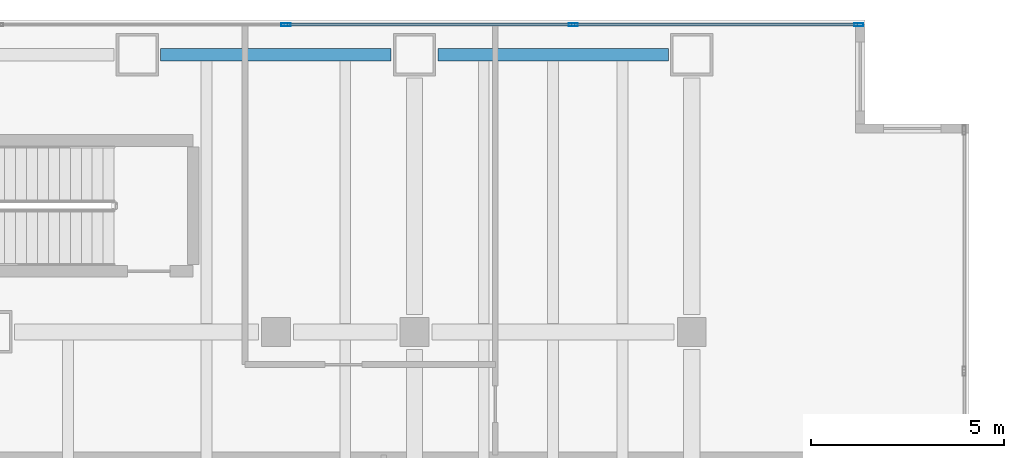
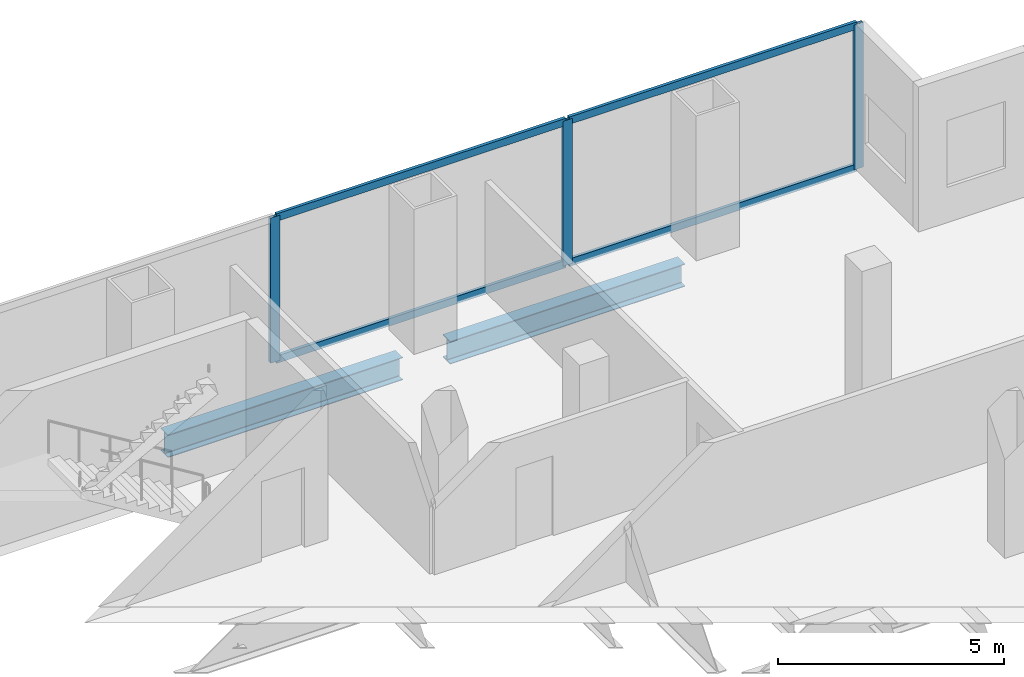
# One storey, part 15 of 28: 7 members, 2 beams, 1 element without a shape of its own.
"""IFC4 building model written with IfcOpenShell, lengths in metres."""

import ifcopenshell
import ifcopenshell.guid

model = None  # the IFC model being written
_history = None  # IfcOwnerHistory: only IFC2X3 demands one
_inside = {}  # id of a spatial element -> (the spatial element, [elements in it])
_under = {}  # id of a project, library or spatial element -> (it, [spatial elements below it])
_declared = {}  # id of a project -> (the project, [libraries it declares])
_typed = {}  # id of a type object -> (the type object, [elements of that type])
_made_of = {}  # id of a material, layer set ... -> (it, [elements and type objects made of it])


def new_model(schema):
    """Start an empty IFC model of exactly this schema.

    Asked for "IFC4X3", IfcOpenShell would pick the latest addendum, in which some entities
    have other attributes; the version numbers below select the first issue.
    IFC2X3 requires an IfcOwnerHistory on every rooted entity: one is made here for all.
    """
    global model, _history
    if schema == "IFC4X3":
        model = ifcopenshell.file(schema_version=(4, 3, 0, 0))
    else:
        model = ifcopenshell.file(schema=schema)
    _inside.clear()
    _under.clear()
    _declared.clear()
    _typed.clear()
    _made_of.clear()
    _history = None
    if model.schema == "IFC2X3":
        org = make("IfcOrganization", Name="unknown")
        user = make(
            "IfcPersonAndOrganization",
            ThePerson=make("IfcPerson", FamilyName="unknown"),
            TheOrganization=org,
        )
        app = make(
            "IfcApplication",
            ApplicationDeveloper=org,
            Version="unknown",
            ApplicationFullName="unknown",
            ApplicationIdentifier="unknown",
        )
        _history = make(
            "IfcOwnerHistory",
            OwningUser=user,
            OwningApplication=app,
            ChangeAction="ADDED",
            CreationDate=0,
        )
    return model


def make(cls, **values):
    """One entity of the class cls with the attributes given. An attribute that is None is left unset."""
    return model.create_entity(
        cls, **{name: value for name, value in values.items() if value is not None}
    )


def rooted(cls, **values):
    """An entity with a GlobalId (a new one), such as an element, a storey or a relation."""
    return make(cls, GlobalId=ifcopenshell.guid.new(), OwnerHistory=_history, **values)


def si_unit(unit_type, name, prefix=None):
    """IfcSIUnit, for example si_unit("LENGTHUNIT", "METRE", prefix="MILLI")."""
    return make("IfcSIUnit", UnitType=unit_type, Prefix=prefix, Name=name)


def assignment(units):
    """IfcUnitAssignment: the units of a project."""
    return None if units is None else make("IfcUnitAssignment", Units=units)


def point(xyz):
    """IfcCartesianPoint."""
    return None if xyz is None else make("IfcCartesianPoint", Coordinates=xyz)


def direction(xyz):
    """IfcDirection."""
    return None if xyz is None else make("IfcDirection", DirectionRatios=xyz)


def frame(location, z_axis=None, x_axis=None):
    """IfcAxis2Placement3D, a coordinate frame: its origin and axes. An axis left out is left unset."""
    return make(
        "IfcAxis2Placement3D",
        Location=point(location),
        Axis=direction(z_axis),
        RefDirection=direction(x_axis),
    )


def frame_2d(location, x_axis=None):
    """IfcAxis2Placement2D, a coordinate frame in the plane: its origin and x axis."""
    return make(
        "IfcAxis2Placement2D", Location=point(location), RefDirection=direction(x_axis)
    )


def origin():
    """The frame at (0, 0, 0) with its axes left unset."""
    return frame((0.0, 0.0, 0.0))


def origin_2d():
    """The frame at (0, 0) in the plane with its x axis left unset."""
    return frame_2d((0.0, 0.0))


def place(relative_to, where):
    """IfcLocalPlacement: puts the frame where relative to a parent placement (None: the world)."""
    return make(
        "IfcLocalPlacement", PlacementRelTo=relative_to, RelativePlacement=where
    )


def context(
    kind, dimensions, precision=None, world=None, true_north=None, identifier=None
):
    """IfcGeometricRepresentationContext, for example the 3D "Model" context."""
    return make(
        "IfcGeometricRepresentationContext",
        ContextIdentifier=identifier,
        ContextType=kind,
        CoordinateSpaceDimension=dimensions,
        Precision=precision,
        WorldCoordinateSystem=world,
        TrueNorth=true_north,
    )


def subcontext(parent, identifier, kind, view, scale=None):
    """IfcGeometricRepresentationSubContext, for example "Body" below "Model"."""
    return make(
        "IfcGeometricRepresentationSubContext",
        ContextIdentifier=identifier,
        ContextType=kind,
        ParentContext=parent,
        TargetScale=scale,
        TargetView=view,
    )


def project(units=None, contexts=None):
    """IfcProject with its units and contexts."""
    return rooted(
        "IfcProject",
        Name="project",
        RepresentationContexts=contexts,
        UnitsInContext=assignment(units),
    )


def spatial(cls, under=None, at=None, **own):
    """A site, building, storey or space (cls), placed at a placement, below another one or the project."""
    s = rooted(cls, ObjectPlacement=at, **own)
    if under is not None:
        _under.setdefault(under.id(), (under, []))[1].append(s)
    return s


def profile(cls, at=None, kind="AREA", **sizes):
    """A parametric profile (cls). Its sizes go by their IFC names, for example OverallWidth=200.0."""
    return make(cls, ProfileType=kind, Position=at, **sizes)


def hollow_rectangle(**sizes):
    """IfcRectangleHollowProfileDef."""
    return profile("IfcRectangleHollowProfileDef", **sizes)


def i_section(**sizes):
    """IfcIShapeProfileDef."""
    return profile("IfcIShapeProfileDef", **sizes)


def extrude(swept, where, along, depth):
    """IfcExtrudedAreaSolid: the profile swept, set in the frame where, extruded along a direction by depth."""
    return make(
        "IfcExtrudedAreaSolid",
        SweptArea=swept,
        Position=where,
        ExtrudedDirection=direction(along),
        Depth=depth,
    )


def shape(context_of_items, identifier, shape_type, items):
    """IfcShapeRepresentation: the items that make up one representation, for example the "Body"."""
    return make(
        "IfcShapeRepresentation",
        ContextOfItems=context_of_items,
        RepresentationIdentifier=identifier,
        RepresentationType=shape_type,
        Items=items,
    )


def material(Name=None, Category=None):
    """IfcMaterial."""
    return make("IfcMaterial", Name=Name, Category=Category)


def material_profile(
    of_material, cross_section, Name=None, Category=None, Priority=None
):
    """IfcMaterialProfile: a cross section and its material."""
    return make(
        "IfcMaterialProfile",
        Name=Name,
        Material=of_material,
        Profile=cross_section,
        Priority=Priority,
        Category=Category,
    )


def profile_set(profiles, Name=None, composite=None):
    """IfcMaterialProfileSet."""
    return make(
        "IfcMaterialProfileSet",
        Name=Name,
        MaterialProfiles=profiles,
        CompositeProfile=composite,
    )


def made_of(thing, what):
    """Note that an element or type object is made of a material, layer set ...; save() writes the relation."""
    if what is not None:
        _made_of.setdefault(what.id(), (what, []))[1].append(thing)
    return thing


def type_object(cls, material=None, **own):
    """A type object (cls), such as IfcWallType, which elements share."""
    return made_of(rooted(cls, **own), material)


def element(
    cls,
    number,
    at=None,
    inside=None,
    cuts=None,
    type_object=None,
    material=None,
    context=None,
    identifier="Body",
    shape_type=None,
    held_by="IfcProductDefinitionShape",
    body=None,
    shapes=None,
    **own,
):
    """One element of the class cls, such as IfcWall. Its Tag is "e" and its number.

    at: its placement. inside: the storey or other place that contains it. cuts: it is an
    opening in that element (IfcRelVoidsElement). A single representation is given by context,
    identifier, shape_type and body (its items); several are given by shapes. held_by: the class
    of the entity that holds the representations. save() writes the other relations.
    """
    e = rooted(cls, Tag="e%d" % number, ObjectPlacement=at, **own)
    if body is not None:
        shapes = [shape(context, identifier, shape_type, body)]
    if shapes is not None:
        e.Representation = make(held_by, Representations=shapes)
    if inside is not None:
        _inside.setdefault(inside.id(), (inside, []))[1].append(e)
    if cuts is not None:
        rooted(
            "IfcRelVoidsElement", RelatingBuildingElement=cuts, RelatedOpeningElement=e
        )
    if type_object is not None:
        _typed.setdefault(type_object.id(), (type_object, []))[1].append(e)
    return made_of(e, material)


def aggregate(whole, parts):
    """IfcRelAggregates: a whole, such as a stair, and the parts it consists of."""
    return rooted("IfcRelAggregates", RelatingObject=whole, RelatedObjects=parts)


def save(model, path):
    """Write the relations noted so far, then the file.

    IfcRelAggregates (storeys below a building ...), IfcRelContainedInSpatialStructure (elements
    in a storey), IfcRelDefinesByType, IfcRelAssociatesMaterial and IfcRelDeclares: one each for
    every whole, place, type object, material and project.
    """
    for whole, parts in _under.values():
        aggregate(whole, parts)
    for where, things in _inside.values():
        rooted(
            "IfcRelContainedInSpatialStructure",
            RelatedElements=things,
            RelatingStructure=where,
        )
    for kind, things in _typed.values():
        rooted("IfcRelDefinesByType", RelatedObjects=things, RelatingType=kind)
    for what, things in _made_of.values():
        rooted("IfcRelAssociatesMaterial", RelatedObjects=things, RelatingMaterial=what)
    for by, libraries in _declared.values():
        rooted("IfcRelDeclares", RelatingContext=by, RelatedDefinitions=libraries)
    model.write(path)


model = new_model("IFC4")

# Units and contexts
model_context = context("Model", 3, precision=1e-05, world=origin(), true_north=direction((0.0, 1.0)))
body_context = subcontext(model_context, "Body", "Model", "MODEL_VIEW")
ifc_project = project(units=[si_unit("LENGTHUNIT", "METRE"), si_unit("AREAUNIT", "SQUARE_METRE"), si_unit("VOLUMEUNIT", "CUBIC_METRE"), si_unit("PLANEANGLEUNIT", "RADIAN"), si_unit("MASSUNIT", "GRAM", prefix="KILO")], contexts=[model_context])

# Site, building, storey
site_placement = place(None, origin())
site = spatial("IfcSite", under=ifc_project, at=site_placement, CompositionType="ELEMENT")
building_placement = place(site_placement, origin())
building = spatial("IfcBuilding", under=site, at=building_placement, Name="Cobrela Telecom Tower", CompositionType="ELEMENT")
storey_placement = place(building_placement, frame((0.0, 0.0, 17.85009765625)))
storey = spatial("IfcBuildingStorey", under=building, at=storey_placement, Name="L04", CompositionType="ELEMENT", Elevation=17.85009765625)

# Beams
ifc_material_1 = material(Name="Steel ASTM A992 Grade 50", Category="steel")
ifc_material_profile_1 = material_profile(ifc_material_1, i_section(OverallWidth=0.324951171875, OverallDepth=0.612060546875, WebThickness=0.0126953125, FlangeThickness=0.01904296875, FilletRadius=0.014892578125, at=origin_2d()), Name="W24X104")
ifc_profile_set_1 = profile_set([ifc_material_profile_1], Name="Steel ASTM A992 Grade 50")
beam_type = type_object("IfcBeamType", Name="BM-SPAND-02", PredefinedType="SPANDREL", material=ifc_profile_set_1)
for number, where, z_axis, x_axis, name in (
    (1, (29.405029296875, 49.5, -0.59619140625), (1.0, 0.0, 0.0), (0.0, 1.0, 0.0), "L04 Perimeter Spandrel X54"),
    (2, (36.60498046875, 49.5, -0.59619140625), (1.0, 0.0, 0.0), (0.0, 1.0, 0.0), "L04 Perimeter Spandrel X55"),
):
    element("IfcBeam", number, at=place(storey_placement, frame(where, z_axis=z_axis, x_axis=x_axis)), inside=storey, type_object=beam_type, Name=name, PredefinedType="SPANDREL", context=body_context, shape_type="SweptSolid", body=[
        extrude(i_section(OverallWidth=0.324951171875, OverallDepth=0.612060546875, WebThickness=0.0126953125, FlangeThickness=0.01904296875, FilletRadius=0.014892578125, at=origin_2d()), origin(), (0.0, 0.0, 1.0), 5.989990234375),
    ])

# Curtain wall, members
ifc_material_2 = material(Name="Anodized Bronze Aluminium 6063-T6", Category="aluminium")
curtain_wall_type = type_object("IfcCurtainWallType", Name="CW-SYS-CONC", PredefinedType="USERDEFINED", material=ifc_material_2)
curtain_wall_placement = place(storey_placement, origin())
curtain_wall = element("IfcCurtainWall", 3, at=curtain_wall_placement, inside=storey, type_object=curtain_wall_type, Name="L04 Unitised Bronze Curtain Wall 07", ObjectType="UNITISED CURTAIN WALL", PredefinedType="USERDEFINED")
ifc_material_profile_2 = material_profile(ifc_material_2, hollow_rectangle(XDim=0.080078125, YDim=0.239990234375, WallThickness=0.0048828125, at=origin_2d()), Name="ALU 80x240x5")
ifc_profile_set_2 = profile_set([ifc_material_profile_2], Name="Anodized Bronze Aluminium 6063-T6")
member_type_1 = type_object("IfcMemberType", Name="CW-SYS-CONC-MUL", PredefinedType="MULLION", material=ifc_profile_set_2)
member_1_placement = place(storey_placement, frame((32.659912109375, 50.280029296875, 0.0), z_axis=(0.0, 0.0, 1.0), x_axis=(0.0, 1.0, 0.0)))
member_1 = element("IfcMember", 4, at=member_1_placement, type_object=member_type_1, Name="CW-CONC mullion 5", PredefinedType="MULLION", context=body_context, shape_type="SweptSolid", body=[
    extrude(hollow_rectangle(XDim=0.080078125, YDim=0.239990234375, WallThickness=0.0048828125, at=origin_2d()), origin(), (0.0, 0.0, 1.0), 3.909912109375),
])
member_2_placement = place(storey_placement, frame((40.1201171875, 50.280029296875, 0.0), z_axis=(0.0, 0.0, 1.0), x_axis=(0.0, 1.0, 0.0)))
member_2 = element("IfcMember", 5, at=member_2_placement, type_object=member_type_1, Name="CW-CONC mullion 6", PredefinedType="MULLION", context=body_context, shape_type="SweptSolid", body=[
    extrude(hollow_rectangle(XDim=0.080078125, YDim=0.239990234375, WallThickness=0.0048828125, at=origin_2d()), origin(), (0.0, 0.0, 1.0), 3.909912109375),
])
member_3_placement = place(storey_placement, frame((47.5400390625, 50.280029296875, 0.0), z_axis=(0.0, 0.0, 1.0), x_axis=(0.0, 1.0, 0.0)))
member_3 = element("IfcMember", 6, at=member_3_placement, type_object=member_type_1, Name="CW-CONC mullion 7", PredefinedType="MULLION", context=body_context, shape_type="SweptSolid", body=[
    extrude(hollow_rectangle(XDim=0.080078125, YDim=0.239990234375, WallThickness=0.0048828125, at=origin_2d()), origin(), (0.0, 0.0, 1.0), 3.909912109375),
])
ifc_material_profile_3 = material_profile(ifc_material_2, hollow_rectangle(XDim=0.080078125, YDim=0.199951171875, WallThickness=0.00390625, at=origin_2d()), Name="ALU 80x200x4")
ifc_profile_set_3 = profile_set([ifc_material_profile_3], Name="Anodized Bronze Aluminium 6063-T6")
member_type_2 = type_object("IfcMemberType", Name="CW-SYS-CONC-TRN", PredefinedType="USERDEFINED", material=ifc_profile_set_3)
member_4_placement = place(storey_placement, frame((32.699951171875, 50.280029296875, 0.039794921875), z_axis=(1.0, 0.0, 0.0), x_axis=(0.0, 1.0, 0.0)))
member_4 = element("IfcMember", 7, at=member_4_placement, type_object=member_type_2, Name="CW-CONC transom 5.1", ObjectType="TRANSOM", PredefinedType="USERDEFINED", context=body_context, shape_type="SweptSolid", body=[
    extrude(hollow_rectangle(XDim=0.080078125, YDim=0.199951171875, WallThickness=0.00390625, at=origin_2d()), origin(), (0.0, 0.0, 1.0), 7.380126953125),
])
member_5_placement = place(storey_placement, frame((32.699951171875, 50.280029296875, 3.869873046875), z_axis=(1.0, 0.0, 0.0), x_axis=(0.0, 1.0, 0.0)))
member_5 = element("IfcMember", 8, at=member_5_placement, type_object=member_type_2, Name="CW-CONC transom 5.2", ObjectType="TRANSOM", PredefinedType="USERDEFINED", context=body_context, shape_type="SweptSolid", body=[
    extrude(hollow_rectangle(XDim=0.080078125, YDim=0.199951171875, WallThickness=0.00390625, at=origin_2d()), origin(), (0.0, 0.0, 1.0), 7.380126953125),
])
member_6_placement = place(storey_placement, frame((40.159912109375, 50.280029296875, 0.039794921875), z_axis=(1.0, 0.0, 0.0), x_axis=(0.0, 1.0, 0.0)))
member_6 = element("IfcMember", 9, at=member_6_placement, type_object=member_type_2, Name="CW-CONC transom 6.1", ObjectType="TRANSOM", PredefinedType="USERDEFINED", context=body_context, shape_type="SweptSolid", body=[
    extrude(hollow_rectangle(XDim=0.080078125, YDim=0.199951171875, WallThickness=0.00390625, at=origin_2d()), origin(), (0.0, 0.0, 1.0), 7.340087890625),
])
member_7_placement = place(storey_placement, frame((40.159912109375, 50.280029296875, 3.869873046875), z_axis=(1.0, 0.0, 0.0), x_axis=(0.0, 1.0, 0.0)))
member_7 = element("IfcMember", 10, at=member_7_placement, type_object=member_type_2, Name="CW-CONC transom 6.2", ObjectType="TRANSOM", PredefinedType="USERDEFINED", context=body_context, shape_type="SweptSolid", body=[
    extrude(hollow_rectangle(XDim=0.080078125, YDim=0.199951171875, WallThickness=0.00390625, at=origin_2d()), origin(), (0.0, 0.0, 1.0), 7.340087890625),
])
aggregate(curtain_wall, [member_1, member_2, member_3, member_4, member_5, member_6, member_7])

save(model, "model.ifc")
